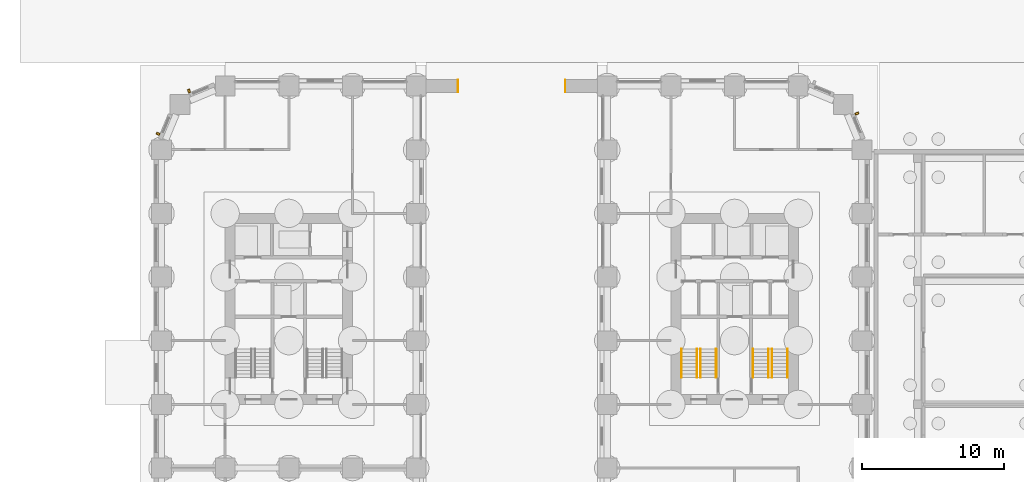
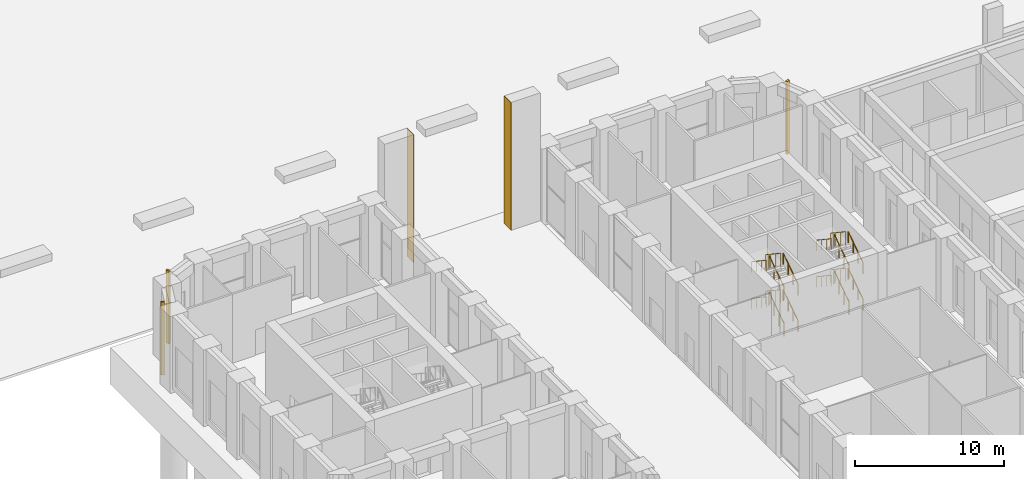
# One storey, part 26 of 31: 16 railings, 3 shading devices, 2 coverings.
"""IFC4 building model written with IfcOpenShell, lengths in metres."""

from ifc_helpers import new_model, si_unit, direction, frame, origin, origin_2d, place, context, subcontext, project, spatial, rectangle, circle, extrude, material, layer, layer_set, type_object, element, save


model = new_model("IFC4")

# Units and contexts
model_context = context("Model", 3, precision=1e-05, world=origin(), true_north=direction((0.0, 1.0)))
body_context = subcontext(model_context, "Body", "Model", "MODEL_VIEW")
ifc_project = project(units=[si_unit("LENGTHUNIT", "METRE"), si_unit("AREAUNIT", "SQUARE_METRE"), si_unit("VOLUMEUNIT", "CUBIC_METRE"), si_unit("PLANEANGLEUNIT", "RADIAN"), si_unit("MASSUNIT", "GRAM", prefix="KILO")], contexts=[model_context])

# Site, building, storey
site_placement = place(None, origin())
site = spatial("IfcSite", under=ifc_project, at=site_placement, CompositionType="ELEMENT")
building_placement = place(site_placement, origin())
building = spatial("IfcBuilding", under=site, at=building_placement, Name="Girih Gate Residences", CompositionType="ELEMENT")
storey_placement = place(building_placement, origin())
storey = spatial("IfcBuildingStorey", under=building, at=storey_placement, Name="L00", CompositionType="ELEMENT", Elevation=0.0)

# Shading devices
ifc_material_1 = material(Name="Precast concrete C50/60", Category="concrete")
shading_device_type = type_object("IfcShadingDeviceType", Name="Corner rib 150x250", PredefinedType="USERDEFINED", material=ifc_material_1)
for number, where, z_axis, x_axis, name in (
    (1, (1.9443359375, 49.14501953125, 0.0), (0.0, 0.0, 1.0), (-0.923879532511, -0.382683432365, 0.0), "Corner rib NW0045_0495.0"),
    (2, (-0.238037109375, 46.123779296875, 0.0), (0.0, 0.0, 1.0), (-0.382683432365, -0.923879532511, 0.0), "Corner rib NW0013_0482.0"),
    (3, (49.14501953125, 47.5556640625, 0.0), (0.0, 0.0, 1.0), (-0.382683432365, 0.923879532511, 0.0), "Corner rib NE0495_0450.0"),
):
    element("IfcShadingDevice", number, at=place(storey_placement, frame(where, z_axis=z_axis, x_axis=x_axis)), inside=storey, type_object=shading_device_type, Name=name, ObjectType="FIN", PredefinedType="USERDEFINED", context=body_context, shape_type="SweptSolid", body=[
        extrude(rectangle(XDim=0.14990234375, YDim=0.25, at=origin_2d()), origin(), (0.0, 0.0, 1.0), 6.0),
    ])

# Coverings
ifc_material_2 = material(Name="Glazed ceramic tile")
ifc_layer_1 = layer(ifc_material_2, 0.010009765625, Name="Tile")
ifc_material_3 = material(Name="Tile adhesive mortar")
ifc_layer_2 = layer(ifc_material_3, 0.02001953125, Name="Adhesive bed")
ifc_layer_set = layer_set([ifc_layer_1, ifc_layer_2], Name="Glazed tile lining 30")
covering_type = type_object("IfcCoveringType", Name="Glazed tile lining 30", PredefinedType="CLADDING", material=ifc_layer_set)
for number, where, z_axis, x_axis, name in (
    (4, (20.965087890625, 49.5, 0.0), (0.0, 0.0, 1.0), (1.0, 0.0, 0.0), "Glazed tile lining N jamb 1"),
    (5, (28.534912109375, 49.5, 0.0), (0.0, 0.0, 1.0), (1.0, 0.0, 0.0), "Glazed tile lining N jamb 2"),
):
    element("IfcCovering", number, at=place(storey_placement, frame(where, z_axis=z_axis, x_axis=x_axis)), inside=storey, type_object=covering_type, Name=name, PredefinedType="CLADDING", context=body_context, shape_type="SweptSolid", body=[
        extrude(rectangle(XDim=0.030029296875, YDim=0.89990234375, at=origin_2d()), origin(), (0.0, 0.0, 1.0), 10.5),
    ])

# Railings
ifc_material_4 = material(Name="Stainless steel", Category="steel")
railing_type_1 = type_object("IfcRailingType", Name="Stair guard 1100", PredefinedType="GUARDRAIL", material=ifc_material_4)
railing_1_placement = place(storey_placement, frame((43.14990234375, 28.89990234375, 0.166748046875)))
element("IfcRailing", 6, at=railing_1_placement, inside=storey, type_object=railing_type_1, Name="L00 ST-E1 stair guard 1", PredefinedType="GUARDRAIL", context=body_context, shape_type="SweptSolid", body=[
    extrude(circle(Radius=0.02392578125, at=origin_2d()), frame((0.0, 0.0, 1.076171875), z_axis=(0.0, 0.832065920246, 0.554676756648), x_axis=(-1.0, 0.0, 0.0)), (0.0, 0.0, 1.0), 2.403564453125),
    extrude(circle(Radius=0.02099609375, at=origin_2d()), origin(), (0.0, 0.0, 1.0), 1.052001953125),
    extrude(circle(Radius=0.02099609375, at=origin_2d()), frame((0.0, 0.666748046875, 0.4443359375)), (0.0, 0.0, 1.0), 1.052001953125),
    extrude(circle(Radius=0.02099609375, at=origin_2d()), frame((0.0, 1.333251953125, 0.888916015625)), (0.0, 0.0, 1.0), 1.052001953125),
    extrude(circle(Radius=0.02099609375, at=origin_2d()), frame((0.0, 2.0, 1.333251953125)), (0.0, 0.0, 1.0), 1.052001953125),
])
railing_2_placement = place(storey_placement, frame((42.89990234375, 30.89990234375, 1.666748046875)))
element("IfcRailing", 7, at=railing_2_placement, inside=storey, type_object=railing_type_1, Name="L00 ST-E1 stair guard 2", PredefinedType="GUARDRAIL", context=body_context, shape_type="SweptSolid", body=[
    extrude(circle(Radius=0.02392578125, at=origin_2d()), frame((0.0, 0.0, 1.076171875), z_axis=(0.0, -0.832065920246, 0.554676756648), x_axis=(1.0, 0.0, 0.0)), (0.0, 0.0, 1.0), 2.403564453125),
    extrude(circle(Radius=0.02099609375, at=origin_2d()), origin(), (0.0, 0.0, 1.0), 1.052001953125),
    extrude(circle(Radius=0.02099609375, at=origin_2d()), frame((0.0, -0.666748046875, 0.4443359375)), (0.0, 0.0, 1.0), 1.052001953125),
    extrude(circle(Radius=0.02099609375, at=origin_2d()), frame((0.0, -1.333251953125, 0.888916015625)), (0.0, 0.0, 1.0), 1.052001953125),
    extrude(circle(Radius=0.02099609375, at=origin_2d()), frame((0.0, -2.0, 1.333251953125)), (0.0, 0.0, 1.0), 1.052001953125),
])
railing_3_placement = place(storey_placement, frame((43.14990234375, 28.89990234375, 3.166748046875)))
element("IfcRailing", 8, at=railing_3_placement, inside=storey, type_object=railing_type_1, Name="L00 ST-E1 stair guard 3", PredefinedType="GUARDRAIL", context=body_context, shape_type="SweptSolid", body=[
    extrude(circle(Radius=0.02392578125, at=origin_2d()), frame((0.0, 0.0, 1.076171875), z_axis=(0.0, 0.832065920246, 0.554676756648), x_axis=(-1.0, 0.0, 0.0)), (0.0, 0.0, 1.0), 2.403564453125),
    extrude(circle(Radius=0.02099609375, at=origin_2d()), origin(), (0.0, 0.0, 1.0), 1.052001953125),
    extrude(circle(Radius=0.02099609375, at=origin_2d()), frame((0.0, 0.666748046875, 0.4443359375)), (0.0, 0.0, 1.0), 1.052001953125),
    extrude(circle(Radius=0.02099609375, at=origin_2d()), frame((0.0, 1.333251953125, 0.888916015625)), (0.0, 0.0, 1.0), 1.052001953125),
    extrude(circle(Radius=0.02099609375, at=origin_2d()), frame((0.0, 2.0, 1.333251953125)), (0.0, 0.0, 1.0), 1.052001953125),
])
railing_4_placement = place(storey_placement, frame((42.89990234375, 30.89990234375, 4.666748046875)))
element("IfcRailing", 9, at=railing_4_placement, inside=storey, type_object=railing_type_1, Name="L00 ST-E1 stair guard 4", PredefinedType="GUARDRAIL", context=body_context, shape_type="SweptSolid", body=[
    extrude(circle(Radius=0.02392578125, at=origin_2d()), frame((0.0, 0.0, 1.076171875), z_axis=(0.0, -0.832065920246, 0.554676756648), x_axis=(1.0, 0.0, 0.0)), (0.0, 0.0, 1.0), 2.403564453125),
    extrude(circle(Radius=0.02099609375, at=origin_2d()), origin(), (0.0, 0.0, 1.0), 1.052001953125),
    extrude(circle(Radius=0.02099609375, at=origin_2d()), frame((0.0, -0.666748046875, 0.4443359375)), (0.0, 0.0, 1.0), 1.052001953125),
    extrude(circle(Radius=0.02099609375, at=origin_2d()), frame((0.0, -1.333251953125, 0.888916015625)), (0.0, 0.0, 1.0), 1.052001953125),
    extrude(circle(Radius=0.02099609375, at=origin_2d()), frame((0.0, -2.0, 1.333251953125)), (0.0, 0.0, 1.0), 1.052001953125),
])
railing_5_placement = place(storey_placement, frame((38.10009765625, 28.89990234375, 0.166748046875)))
element("IfcRailing", 10, at=railing_5_placement, inside=storey, type_object=railing_type_1, Name="L00 ST-E2 stair guard 1", PredefinedType="GUARDRAIL", context=body_context, shape_type="SweptSolid", body=[
    extrude(circle(Radius=0.02392578125, at=origin_2d()), frame((0.0, 0.0, 1.076171875), z_axis=(0.0, 0.832065920246, 0.554676756648), x_axis=(-1.0, 0.0, 0.0)), (0.0, 0.0, 1.0), 2.403564453125),
    extrude(circle(Radius=0.02099609375, at=origin_2d()), origin(), (0.0, 0.0, 1.0), 1.052001953125),
    extrude(circle(Radius=0.02099609375, at=origin_2d()), frame((0.0, 0.666748046875, 0.4443359375)), (0.0, 0.0, 1.0), 1.052001953125),
    extrude(circle(Radius=0.02099609375, at=origin_2d()), frame((0.0, 1.333251953125, 0.888916015625)), (0.0, 0.0, 1.0), 1.052001953125),
    extrude(circle(Radius=0.02099609375, at=origin_2d()), frame((0.0, 2.0, 1.333251953125)), (0.0, 0.0, 1.0), 1.052001953125),
])
railing_6_placement = place(storey_placement, frame((37.85009765625, 30.89990234375, 1.666748046875)))
element("IfcRailing", 11, at=railing_6_placement, inside=storey, type_object=railing_type_1, Name="L00 ST-E2 stair guard 2", PredefinedType="GUARDRAIL", context=body_context, shape_type="SweptSolid", body=[
    extrude(circle(Radius=0.02392578125, at=origin_2d()), frame((0.0, 0.0, 1.076171875), z_axis=(0.0, -0.832065920246, 0.554676756648), x_axis=(1.0, 0.0, 0.0)), (0.0, 0.0, 1.0), 2.403564453125),
    extrude(circle(Radius=0.02099609375, at=origin_2d()), origin(), (0.0, 0.0, 1.0), 1.052001953125),
    extrude(circle(Radius=0.02099609375, at=origin_2d()), frame((0.0, -0.666748046875, 0.4443359375)), (0.0, 0.0, 1.0), 1.052001953125),
    extrude(circle(Radius=0.02099609375, at=origin_2d()), frame((0.0, -1.333251953125, 0.888916015625)), (0.0, 0.0, 1.0), 1.052001953125),
    extrude(circle(Radius=0.02099609375, at=origin_2d()), frame((0.0, -2.0, 1.333251953125)), (0.0, 0.0, 1.0), 1.052001953125),
])
railing_7_placement = place(storey_placement, frame((38.10009765625, 28.89990234375, 3.166748046875)))
element("IfcRailing", 12, at=railing_7_placement, inside=storey, type_object=railing_type_1, Name="L00 ST-E2 stair guard 3", PredefinedType="GUARDRAIL", context=body_context, shape_type="SweptSolid", body=[
    extrude(circle(Radius=0.02392578125, at=origin_2d()), frame((0.0, 0.0, 1.076171875), z_axis=(0.0, 0.832065920246, 0.554676756648), x_axis=(-1.0, 0.0, 0.0)), (0.0, 0.0, 1.0), 2.403564453125),
    extrude(circle(Radius=0.02099609375, at=origin_2d()), origin(), (0.0, 0.0, 1.0), 1.052001953125),
    extrude(circle(Radius=0.02099609375, at=origin_2d()), frame((0.0, 0.666748046875, 0.4443359375)), (0.0, 0.0, 1.0), 1.052001953125),
    extrude(circle(Radius=0.02099609375, at=origin_2d()), frame((0.0, 1.333251953125, 0.888916015625)), (0.0, 0.0, 1.0), 1.052001953125),
    extrude(circle(Radius=0.02099609375, at=origin_2d()), frame((0.0, 2.0, 1.333251953125)), (0.0, 0.0, 1.0), 1.052001953125),
])
railing_8_placement = place(storey_placement, frame((37.85009765625, 30.89990234375, 4.666748046875)))
element("IfcRailing", 13, at=railing_8_placement, inside=storey, type_object=railing_type_1, Name="L00 ST-E2 stair guard 4", PredefinedType="GUARDRAIL", context=body_context, shape_type="SweptSolid", body=[
    extrude(circle(Radius=0.02392578125, at=origin_2d()), frame((0.0, 0.0, 1.076171875), z_axis=(0.0, -0.832065920246, 0.554676756648), x_axis=(1.0, 0.0, 0.0)), (0.0, 0.0, 1.0), 2.403564453125),
    extrude(circle(Radius=0.02099609375, at=origin_2d()), origin(), (0.0, 0.0, 1.0), 1.052001953125),
    extrude(circle(Radius=0.02099609375, at=origin_2d()), frame((0.0, -0.666748046875, 0.4443359375)), (0.0, 0.0, 1.0), 1.052001953125),
    extrude(circle(Radius=0.02099609375, at=origin_2d()), frame((0.0, -1.333251953125, 0.888916015625)), (0.0, 0.0, 1.0), 1.052001953125),
    extrude(circle(Radius=0.02099609375, at=origin_2d()), frame((0.0, -2.0, 1.333251953125)), (0.0, 0.0, 1.0), 1.052001953125),
])
railing_type_2 = type_object("IfcRailingType", Name="Stair handrail 900", PredefinedType="HANDRAIL", material=ifc_material_4)
railing_9_placement = place(storey_placement, frame((44.25, 28.89990234375, 0.166748046875)))
element("IfcRailing", 14, at=railing_9_placement, inside=storey, type_object=railing_type_2, Name="L00 ST-E1 stair handrail 1", PredefinedType="HANDRAIL", context=body_context, shape_type="SweptSolid", body=[
    extrude(circle(Radius=0.02392578125, at=origin_2d()), frame((0.0, 0.0, 0.8857421875), z_axis=(0.0, 0.832065920246, 0.554676756648), x_axis=(-1.0, 0.0, 0.0)), (0.0, 0.0, 1.0), 2.403564453125),
    extrude(circle(Radius=0.02099609375, at=origin_2d()), origin(), (0.0, 0.0, 1.0), 0.86181640625),
    extrude(circle(Radius=0.02099609375, at=origin_2d()), frame((0.0, 0.666748046875, 0.4443359375)), (0.0, 0.0, 1.0), 0.86181640625),
    extrude(circle(Radius=0.02099609375, at=origin_2d()), frame((0.0, 1.333251953125, 0.888916015625)), (0.0, 0.0, 1.0), 0.86181640625),
    extrude(circle(Radius=0.02099609375, at=origin_2d()), frame((0.0, 2.0, 1.333251953125)), (0.0, 0.0, 1.0), 0.86181640625),
])
railing_10_placement = place(storey_placement, frame((41.800048828125, 30.89990234375, 1.666748046875)))
element("IfcRailing", 15, at=railing_10_placement, inside=storey, type_object=railing_type_2, Name="L00 ST-E1 stair handrail 2", PredefinedType="HANDRAIL", context=body_context, shape_type="SweptSolid", body=[
    extrude(circle(Radius=0.02392578125, at=origin_2d()), frame((0.0, 0.0, 0.8857421875), z_axis=(0.0, -0.832065920246, 0.554676756648), x_axis=(1.0, 0.0, 0.0)), (0.0, 0.0, 1.0), 2.403564453125),
    extrude(circle(Radius=0.02099609375, at=origin_2d()), origin(), (0.0, 0.0, 1.0), 0.86181640625),
    extrude(circle(Radius=0.02099609375, at=origin_2d()), frame((0.0, -0.666748046875, 0.4443359375)), (0.0, 0.0, 1.0), 0.86181640625),
    extrude(circle(Radius=0.02099609375, at=origin_2d()), frame((0.0, -1.333251953125, 0.888916015625)), (0.0, 0.0, 1.0), 0.86181640625),
    extrude(circle(Radius=0.02099609375, at=origin_2d()), frame((0.0, -2.0, 1.333251953125)), (0.0, 0.0, 1.0), 0.86181640625),
])
railing_11_placement = place(storey_placement, frame((44.25, 28.89990234375, 3.166748046875)))
element("IfcRailing", 16, at=railing_11_placement, inside=storey, type_object=railing_type_2, Name="L00 ST-E1 stair handrail 3", PredefinedType="HANDRAIL", context=body_context, shape_type="SweptSolid", body=[
    extrude(circle(Radius=0.02392578125, at=origin_2d()), frame((0.0, 0.0, 0.8857421875), z_axis=(0.0, 0.832065920246, 0.554676756648), x_axis=(-1.0, 0.0, 0.0)), (0.0, 0.0, 1.0), 2.403564453125),
    extrude(circle(Radius=0.02099609375, at=origin_2d()), origin(), (0.0, 0.0, 1.0), 0.86181640625),
    extrude(circle(Radius=0.02099609375, at=origin_2d()), frame((0.0, 0.666748046875, 0.4443359375)), (0.0, 0.0, 1.0), 0.86181640625),
    extrude(circle(Radius=0.02099609375, at=origin_2d()), frame((0.0, 1.333251953125, 0.888916015625)), (0.0, 0.0, 1.0), 0.86181640625),
    extrude(circle(Radius=0.02099609375, at=origin_2d()), frame((0.0, 2.0, 1.333251953125)), (0.0, 0.0, 1.0), 0.86181640625),
])
railing_12_placement = place(storey_placement, frame((41.800048828125, 30.89990234375, 4.666748046875)))
element("IfcRailing", 17, at=railing_12_placement, inside=storey, type_object=railing_type_2, Name="L00 ST-E1 stair handrail 4", PredefinedType="HANDRAIL", context=body_context, shape_type="SweptSolid", body=[
    extrude(circle(Radius=0.02392578125, at=origin_2d()), frame((0.0, 0.0, 0.8857421875), z_axis=(0.0, -0.832065920246, 0.554676756648), x_axis=(1.0, 0.0, 0.0)), (0.0, 0.0, 1.0), 2.403564453125),
    extrude(circle(Radius=0.02099609375, at=origin_2d()), origin(), (0.0, 0.0, 1.0), 0.86181640625),
    extrude(circle(Radius=0.02099609375, at=origin_2d()), frame((0.0, -0.666748046875, 0.4443359375)), (0.0, 0.0, 1.0), 0.86181640625),
    extrude(circle(Radius=0.02099609375, at=origin_2d()), frame((0.0, -1.333251953125, 0.888916015625)), (0.0, 0.0, 1.0), 0.86181640625),
    extrude(circle(Radius=0.02099609375, at=origin_2d()), frame((0.0, -2.0, 1.333251953125)), (0.0, 0.0, 1.0), 0.86181640625),
])
railing_13_placement = place(storey_placement, frame((39.199951171875, 28.89990234375, 0.166748046875)))
element("IfcRailing", 18, at=railing_13_placement, inside=storey, type_object=railing_type_2, Name="L00 ST-E2 stair handrail 1", PredefinedType="HANDRAIL", context=body_context, shape_type="SweptSolid", body=[
    extrude(circle(Radius=0.02392578125, at=origin_2d()), frame((0.0, 0.0, 0.8857421875), z_axis=(0.0, 0.832065920246, 0.554676756648), x_axis=(-1.0, 0.0, 0.0)), (0.0, 0.0, 1.0), 2.403564453125),
    extrude(circle(Radius=0.02099609375, at=origin_2d()), origin(), (0.0, 0.0, 1.0), 0.86181640625),
    extrude(circle(Radius=0.02099609375, at=origin_2d()), frame((0.0, 0.666748046875, 0.4443359375)), (0.0, 0.0, 1.0), 0.86181640625),
    extrude(circle(Radius=0.02099609375, at=origin_2d()), frame((0.0, 1.333251953125, 0.888916015625)), (0.0, 0.0, 1.0), 0.86181640625),
    extrude(circle(Radius=0.02099609375, at=origin_2d()), frame((0.0, 2.0, 1.333251953125)), (0.0, 0.0, 1.0), 0.86181640625),
])
railing_14_placement = place(storey_placement, frame((36.75, 30.89990234375, 1.666748046875)))
element("IfcRailing", 19, at=railing_14_placement, inside=storey, type_object=railing_type_2, Name="L00 ST-E2 stair handrail 2", PredefinedType="HANDRAIL", context=body_context, shape_type="SweptSolid", body=[
    extrude(circle(Radius=0.02392578125, at=origin_2d()), frame((0.0, 0.0, 0.8857421875), z_axis=(0.0, -0.832065920246, 0.554676756648), x_axis=(1.0, 0.0, 0.0)), (0.0, 0.0, 1.0), 2.403564453125),
    extrude(circle(Radius=0.02099609375, at=origin_2d()), origin(), (0.0, 0.0, 1.0), 0.86181640625),
    extrude(circle(Radius=0.02099609375, at=origin_2d()), frame((0.0, -0.666748046875, 0.4443359375)), (0.0, 0.0, 1.0), 0.86181640625),
    extrude(circle(Radius=0.02099609375, at=origin_2d()), frame((0.0, -1.333251953125, 0.888916015625)), (0.0, 0.0, 1.0), 0.86181640625),
    extrude(circle(Radius=0.02099609375, at=origin_2d()), frame((0.0, -2.0, 1.333251953125)), (0.0, 0.0, 1.0), 0.86181640625),
])
railing_15_placement = place(storey_placement, frame((39.199951171875, 28.89990234375, 3.166748046875)))
element("IfcRailing", 20, at=railing_15_placement, inside=storey, type_object=railing_type_2, Name="L00 ST-E2 stair handrail 3", PredefinedType="HANDRAIL", context=body_context, shape_type="SweptSolid", body=[
    extrude(circle(Radius=0.02392578125, at=origin_2d()), frame((0.0, 0.0, 0.8857421875), z_axis=(0.0, 0.832065920246, 0.554676756648), x_axis=(-1.0, 0.0, 0.0)), (0.0, 0.0, 1.0), 2.403564453125),
    extrude(circle(Radius=0.02099609375, at=origin_2d()), origin(), (0.0, 0.0, 1.0), 0.86181640625),
    extrude(circle(Radius=0.02099609375, at=origin_2d()), frame((0.0, 0.666748046875, 0.4443359375)), (0.0, 0.0, 1.0), 0.86181640625),
    extrude(circle(Radius=0.02099609375, at=origin_2d()), frame((0.0, 1.333251953125, 0.888916015625)), (0.0, 0.0, 1.0), 0.86181640625),
    extrude(circle(Radius=0.02099609375, at=origin_2d()), frame((0.0, 2.0, 1.333251953125)), (0.0, 0.0, 1.0), 0.86181640625),
])
railing_16_placement = place(storey_placement, frame((36.75, 30.89990234375, 4.666748046875)))
element("IfcRailing", 21, at=railing_16_placement, inside=storey, type_object=railing_type_2, Name="L00 ST-E2 stair handrail 4", PredefinedType="HANDRAIL", context=body_context, shape_type="SweptSolid", body=[
    extrude(circle(Radius=0.02392578125, at=origin_2d()), frame((0.0, 0.0, 0.8857421875), z_axis=(0.0, -0.832065920246, 0.554676756648), x_axis=(1.0, 0.0, 0.0)), (0.0, 0.0, 1.0), 2.403564453125),
    extrude(circle(Radius=0.02099609375, at=origin_2d()), origin(), (0.0, 0.0, 1.0), 0.86181640625),
    extrude(circle(Radius=0.02099609375, at=origin_2d()), frame((0.0, -0.666748046875, 0.4443359375)), (0.0, 0.0, 1.0), 0.86181640625),
    extrude(circle(Radius=0.02099609375, at=origin_2d()), frame((0.0, -1.333251953125, 0.888916015625)), (0.0, 0.0, 1.0), 0.86181640625),
    extrude(circle(Radius=0.02099609375, at=origin_2d()), frame((0.0, -2.0, 1.333251953125)), (0.0, 0.0, 1.0), 0.86181640625),
])

save(model, "model.ifc")
